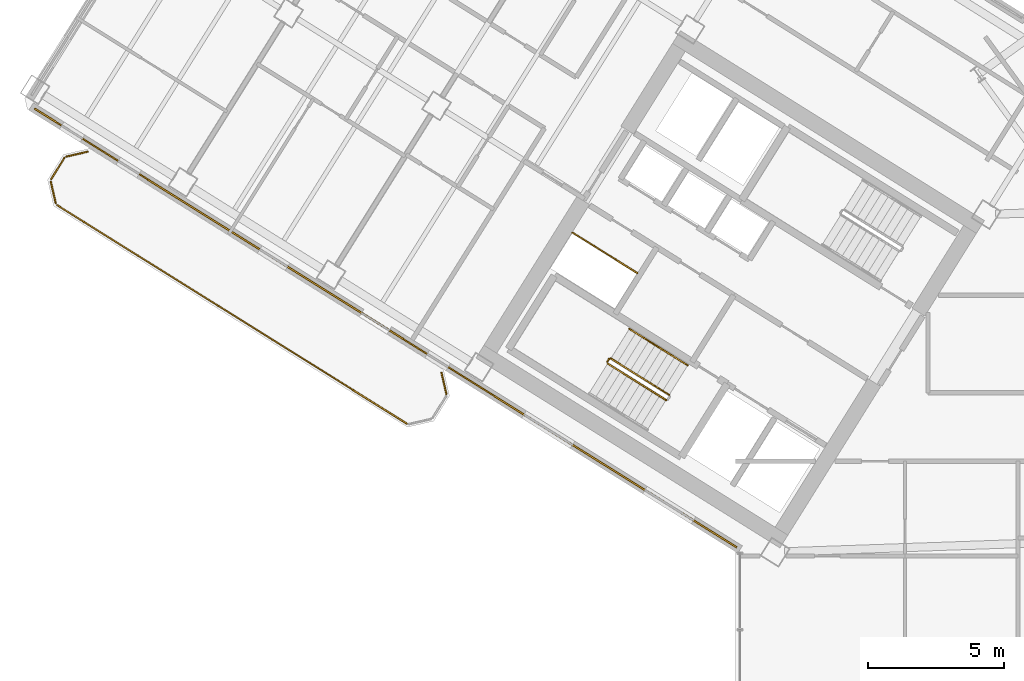
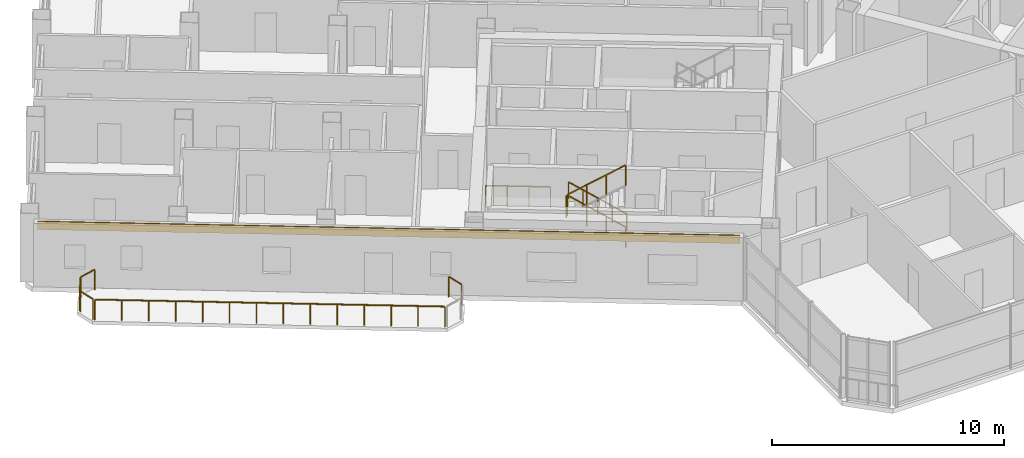
# One storey, part 18 of 21: 11 railings, 1 covering.
"""IFC4 building model written with IfcOpenShell, lengths in metres."""

import ifcopenshell
import ifcopenshell.guid

model = None  # the IFC model being written
_history = None  # IfcOwnerHistory: only IFC2X3 demands one
_inside = {}  # id of a spatial element -> (the spatial element, [elements in it])
_under = {}  # id of a project, library or spatial element -> (it, [spatial elements below it])
_declared = {}  # id of a project -> (the project, [libraries it declares])
_typed = {}  # id of a type object -> (the type object, [elements of that type])
_made_of = {}  # id of a material, layer set ... -> (it, [elements and type objects made of it])


def new_model(schema):
    """Start an empty IFC model of exactly this schema.

    Asked for "IFC4X3", IfcOpenShell would pick the latest addendum, in which some entities
    have other attributes; the version numbers below select the first issue.
    IFC2X3 requires an IfcOwnerHistory on every rooted entity: one is made here for all.
    """
    global model, _history
    if schema == "IFC4X3":
        model = ifcopenshell.file(schema_version=(4, 3, 0, 0))
    else:
        model = ifcopenshell.file(schema=schema)
    _inside.clear()
    _under.clear()
    _declared.clear()
    _typed.clear()
    _made_of.clear()
    _history = None
    if model.schema == "IFC2X3":
        org = make("IfcOrganization", Name="unknown")
        user = make(
            "IfcPersonAndOrganization",
            ThePerson=make("IfcPerson", FamilyName="unknown"),
            TheOrganization=org,
        )
        app = make(
            "IfcApplication",
            ApplicationDeveloper=org,
            Version="unknown",
            ApplicationFullName="unknown",
            ApplicationIdentifier="unknown",
        )
        _history = make(
            "IfcOwnerHistory",
            OwningUser=user,
            OwningApplication=app,
            ChangeAction="ADDED",
            CreationDate=0,
        )
    return model


def make(cls, **values):
    """One entity of the class cls with the attributes given. An attribute that is None is left unset."""
    return model.create_entity(
        cls, **{name: value for name, value in values.items() if value is not None}
    )


def rooted(cls, **values):
    """An entity with a GlobalId (a new one), such as an element, a storey or a relation."""
    return make(cls, GlobalId=ifcopenshell.guid.new(), OwnerHistory=_history, **values)


def si_unit(unit_type, name, prefix=None):
    """IfcSIUnit, for example si_unit("LENGTHUNIT", "METRE", prefix="MILLI")."""
    return make("IfcSIUnit", UnitType=unit_type, Prefix=prefix, Name=name)


def assignment(units):
    """IfcUnitAssignment: the units of a project."""
    return None if units is None else make("IfcUnitAssignment", Units=units)


def point(xyz):
    """IfcCartesianPoint."""
    return None if xyz is None else make("IfcCartesianPoint", Coordinates=xyz)


def direction(xyz):
    """IfcDirection."""
    return None if xyz is None else make("IfcDirection", DirectionRatios=xyz)


def frame(location, z_axis=None, x_axis=None):
    """IfcAxis2Placement3D, a coordinate frame: its origin and axes. An axis left out is left unset."""
    return make(
        "IfcAxis2Placement3D",
        Location=point(location),
        Axis=direction(z_axis),
        RefDirection=direction(x_axis),
    )


def frame_2d(location, x_axis=None):
    """IfcAxis2Placement2D, a coordinate frame in the plane: its origin and x axis."""
    return make(
        "IfcAxis2Placement2D", Location=point(location), RefDirection=direction(x_axis)
    )


def origin():
    """The frame at (0, 0, 0) with its axes left unset."""
    return frame((0.0, 0.0, 0.0))


def origin_2d():
    """The frame at (0, 0) in the plane with its x axis left unset."""
    return frame_2d((0.0, 0.0))


def place(relative_to, where):
    """IfcLocalPlacement: puts the frame where relative to a parent placement (None: the world)."""
    return make(
        "IfcLocalPlacement", PlacementRelTo=relative_to, RelativePlacement=where
    )


def context(
    kind, dimensions, precision=None, world=None, true_north=None, identifier=None
):
    """IfcGeometricRepresentationContext, for example the 3D "Model" context."""
    return make(
        "IfcGeometricRepresentationContext",
        ContextIdentifier=identifier,
        ContextType=kind,
        CoordinateSpaceDimension=dimensions,
        Precision=precision,
        WorldCoordinateSystem=world,
        TrueNorth=true_north,
    )


def subcontext(parent, identifier, kind, view, scale=None):
    """IfcGeometricRepresentationSubContext, for example "Body" below "Model"."""
    return make(
        "IfcGeometricRepresentationSubContext",
        ContextIdentifier=identifier,
        ContextType=kind,
        ParentContext=parent,
        TargetScale=scale,
        TargetView=view,
    )


def project(units=None, contexts=None):
    """IfcProject with its units and contexts."""
    return rooted(
        "IfcProject",
        Name="project",
        RepresentationContexts=contexts,
        UnitsInContext=assignment(units),
    )


def spatial(cls, under=None, at=None, **own):
    """A site, building, storey or space (cls), placed at a placement, below another one or the project."""
    s = rooted(cls, ObjectPlacement=at, **own)
    if under is not None:
        _under.setdefault(under.id(), (under, []))[1].append(s)
    return s


def profile(cls, at=None, kind="AREA", **sizes):
    """A parametric profile (cls). Its sizes go by their IFC names, for example OverallWidth=200.0."""
    return make(cls, ProfileType=kind, Position=at, **sizes)


def rectangle(**sizes):
    """IfcRectangleProfileDef."""
    return profile("IfcRectangleProfileDef", **sizes)


def extrude(swept, where, along, depth):
    """IfcExtrudedAreaSolid: the profile swept, set in the frame where, extruded along a direction by depth."""
    return make(
        "IfcExtrudedAreaSolid",
        SweptArea=swept,
        Position=where,
        ExtrudedDirection=direction(along),
        Depth=depth,
    )


def shape(context_of_items, identifier, shape_type, items):
    """IfcShapeRepresentation: the items that make up one representation, for example the "Body"."""
    return make(
        "IfcShapeRepresentation",
        ContextOfItems=context_of_items,
        RepresentationIdentifier=identifier,
        RepresentationType=shape_type,
        Items=items,
    )


def source(mapping_origin, context_of_items, identifier, shape_type, items):
    """IfcRepresentationMap: a shape defined once, which mapped items show again and again."""
    return make(
        "IfcRepresentationMap",
        MappingOrigin=mapping_origin,
        MappedRepresentation=shape(context_of_items, identifier, shape_type, items),
    )


def transform(
    local_origin,
    x_axis=None,
    y_axis=None,
    z_axis=None,
    scale=None,
    scale2=None,
    scale3=None,
    uniform=True,
):
    """IfcCartesianTransformationOperator3D, or its non-uniform kind. x_axis, y_axis, z_axis: its Axis1, 2, 3."""
    if uniform:
        return make(
            "IfcCartesianTransformationOperator3D",
            Axis1=direction(x_axis),
            Axis2=direction(y_axis),
            LocalOrigin=point(local_origin),
            Scale=scale,
            Axis3=direction(z_axis),
        )
    return make(
        "IfcCartesianTransformationOperator3DnonUniform",
        Axis1=direction(x_axis),
        Axis2=direction(y_axis),
        LocalOrigin=point(local_origin),
        Scale=scale,
        Axis3=direction(z_axis),
        Scale2=scale2,
        Scale3=scale3,
    )


def mapped(mapping_source, mapping_target):
    """IfcMappedItem: shows the shape of a source again, moved by a transform."""
    return make(
        "IfcMappedItem", MappingSource=mapping_source, MappingTarget=mapping_target
    )


def material(Name=None, Category=None):
    """IfcMaterial."""
    return make("IfcMaterial", Name=Name, Category=Category)


def layer(
    of_material, thickness, ventilated=None, Name=None, Category=None, Priority=None
):
    """IfcMaterialLayer: one layer of a wall or slab, of a material (None: an air gap)."""
    return make(
        "IfcMaterialLayer",
        Material=of_material,
        LayerThickness=thickness,
        IsVentilated=ventilated,
        Name=Name,
        Category=Category,
        Priority=Priority,
    )


def layer_set(layers, Name=None):
    """IfcMaterialLayerSet."""
    return make("IfcMaterialLayerSet", MaterialLayers=layers, LayerSetName=Name)


def made_of(thing, what):
    """Note that an element or type object is made of a material, layer set ...; save() writes the relation."""
    if what is not None:
        _made_of.setdefault(what.id(), (what, []))[1].append(thing)
    return thing


def type_object(cls, material=None, **own):
    """A type object (cls), such as IfcWallType, which elements share."""
    return made_of(rooted(cls, **own), material)


def element(
    cls,
    number,
    at=None,
    inside=None,
    cuts=None,
    type_object=None,
    material=None,
    context=None,
    identifier="Body",
    shape_type=None,
    held_by="IfcProductDefinitionShape",
    body=None,
    shapes=None,
    **own,
):
    """One element of the class cls, such as IfcWall. Its Tag is "e" and its number.

    at: its placement. inside: the storey or other place that contains it. cuts: it is an
    opening in that element (IfcRelVoidsElement). A single representation is given by context,
    identifier, shape_type and body (its items); several are given by shapes. held_by: the class
    of the entity that holds the representations. save() writes the other relations.
    """
    e = rooted(cls, Tag="e%d" % number, ObjectPlacement=at, **own)
    if body is not None:
        shapes = [shape(context, identifier, shape_type, body)]
    if shapes is not None:
        e.Representation = make(held_by, Representations=shapes)
    if inside is not None:
        _inside.setdefault(inside.id(), (inside, []))[1].append(e)
    if cuts is not None:
        rooted(
            "IfcRelVoidsElement", RelatingBuildingElement=cuts, RelatedOpeningElement=e
        )
    if type_object is not None:
        _typed.setdefault(type_object.id(), (type_object, []))[1].append(e)
    return made_of(e, material)


def aggregate(whole, parts):
    """IfcRelAggregates: a whole, such as a stair, and the parts it consists of."""
    return rooted("IfcRelAggregates", RelatingObject=whole, RelatedObjects=parts)


def save(model, path):
    """Write the relations noted so far, then the file.

    IfcRelAggregates (storeys below a building ...), IfcRelContainedInSpatialStructure (elements
    in a storey), IfcRelDefinesByType, IfcRelAssociatesMaterial and IfcRelDeclares: one each for
    every whole, place, type object, material and project.
    """
    for whole, parts in _under.values():
        aggregate(whole, parts)
    for where, things in _inside.values():
        rooted(
            "IfcRelContainedInSpatialStructure",
            RelatedElements=things,
            RelatingStructure=where,
        )
    for kind, things in _typed.values():
        rooted("IfcRelDefinesByType", RelatedObjects=things, RelatingType=kind)
    for what, things in _made_of.values():
        rooted("IfcRelAssociatesMaterial", RelatedObjects=things, RelatingMaterial=what)
    for by, libraries in _declared.values():
        rooted("IfcRelDeclares", RelatingContext=by, RelatedDefinitions=libraries)
    model.write(path)


model = new_model("IFC4")

# Units and contexts
model_context = context("Model", 3, precision=1e-05, world=origin(), true_north=direction((0.0, 1.0)))
body_context = subcontext(model_context, "Body", "Model", "MODEL_VIEW")
ifc_project = project(units=[si_unit("LENGTHUNIT", "METRE"), si_unit("AREAUNIT", "SQUARE_METRE"), si_unit("VOLUMEUNIT", "CUBIC_METRE"), si_unit("PLANEANGLEUNIT", "RADIAN"), si_unit("MASSUNIT", "GRAM", prefix="KILO")], contexts=[model_context])

# Site, building, storey
site_placement = place(None, origin())
site = spatial("IfcSite", under=ifc_project, at=site_placement, CompositionType="ELEMENT")
building_placement = place(site_placement, origin())
building = spatial("IfcBuilding", under=site, at=building_placement, Name="Tlacorven Tower", CompositionType="ELEMENT")
storey_placement = place(building_placement, frame((0.0, 0.0, 184.199951171875)))
storey = spatial("IfcBuildingStorey", under=building, at=storey_placement, Name="L46", CompositionType="ELEMENT", Elevation=184.199951171875)

# Railings
ifc_material_1 = material(Name="Aluminium and painted steel balustrade", Category="steel")
railing_type_1 = type_object("IfcRailingType", Name="RL-GRD-1100", PredefinedType="GUARDRAIL", material=ifc_material_1)
shared_shape_1 = source(origin(), body_context, "Body", "SweptSolid", [
    extrude(rectangle(XDim=0.048095703125, YDim=0.048095703125, at=origin_2d()), frame((0.0, 0.0, 1.076171875), z_axis=(-0.848091358275, 0.529850024081, 0.0), x_axis=(-0.529850024081, -0.848091358275, 0.0)), (0.0, 0.0, 1.0), 2.800048828125),
    extrude(rectangle(XDim=0.0419921875, YDim=0.0419921875, at=origin_2d()), origin(), (0.0, 0.0, 1.0), 1.052001953125),
    extrude(rectangle(XDim=0.0419921875, YDim=0.0419921875, at=origin_2d()), frame((-0.79150390625, 0.49462890625, 0.0)), (0.0, 0.0, 1.0), 1.052001953125),
    extrude(rectangle(XDim=0.0419921875, YDim=0.0419921875, at=origin_2d()), frame((-1.583251953125, 0.989013671875, 0.0)), (0.0, 0.0, 1.0), 1.052001953125),
    extrude(rectangle(XDim=0.0419921875, YDim=0.0419921875, at=origin_2d()), frame((-2.374755859375, 1.483642578125, 0.0)), (0.0, 0.0, 1.0), 1.052001953125),
])
railing_1_placement = place(storey_placement, frame((27.9912109375, 22.32080078125, 0.0)))
element("IfcRailing", 1, at=railing_1_placement, inside=storey, type_object=railing_type_1, Name="L46 Electrical Riser W Shaft Guard 1", PredefinedType="GUARDRAIL", context=body_context, shape_type="MappedRepresentation", body=[
    mapped(shared_shape_1, transform((0.0, 0.0, 0.0), scale=1.0)),
])
railing_type_2 = type_object("IfcRailingType", Name="RL-BAL-1100", PredefinedType="BALUSTRADE", material=ifc_material_1)
shared_shape_2 = source(origin(), body_context, "Body", "SweptSolid", [
    extrude(rectangle(XDim=0.048095703125, YDim=0.048095703125, at=origin_2d()), frame((0.0, 0.0, 1.076171875), z_axis=(0.225058334816, -0.974345290916, 0.0), x_axis=(0.974345290916, 0.225058334816, 0.0)), (0.0, 0.0, 1.0), 0.80712890625),
    extrude(rectangle(XDim=0.0419921875, YDim=0.0419921875, at=origin_2d()), origin(), (0.0, 0.0, 1.0), 1.052001953125),
    extrude(rectangle(XDim=0.0419921875, YDim=0.0419921875, at=origin_2d()), frame((0.181640625, -0.786376953125, 0.0)), (0.0, 0.0, 1.0), 1.052001953125),
])
railing_2_placement = place(storey_placement, frame((20.809814453125, 18.671142578125, 0.0)))
element("IfcRailing", 2, at=railing_2_placement, inside=storey, type_object=railing_type_2, Name="BAL-L46-W-OUT Guard Railing 1", PredefinedType="BALUSTRADE", context=body_context, shape_type="MappedRepresentation", body=[
    mapped(shared_shape_2, transform((0.0, 0.0, 0.0), scale=1.0)),
])
shared_shape_3 = source(origin(), body_context, "Body", "SweptSolid", [
    extrude(rectangle(XDim=0.048095703125, YDim=0.048095703125, at=origin_2d()), frame((0.0, 0.0, 1.076171875), z_axis=(-0.225058334816, 0.974345290916, 0.0), x_axis=(-0.974345290916, -0.225058334816, 0.0)), (0.0, 0.0, 1.0), 0.80712890625),
    extrude(rectangle(XDim=0.0419921875, YDim=0.0419921875, at=origin_2d()), origin(), (0.0, 0.0, 1.0), 1.052001953125),
    extrude(rectangle(XDim=0.0419921875, YDim=0.0419921875, at=origin_2d()), frame((-0.181640625, 0.786376953125, 0.0)), (0.0, 0.0, 1.0), 1.052001953125),
])
railing_3_placement = place(storey_placement, frame((6.66650390625, 24.88623046875, 0.0)))
element("IfcRailing", 3, at=railing_3_placement, inside=storey, type_object=railing_type_2, Name="BAL-L46-W-OUT Guard Railing 5", PredefinedType="BALUSTRADE", context=body_context, shape_type="MappedRepresentation", body=[
    mapped(shared_shape_3, transform((0.0, 0.0, 0.0), scale=1.0)),
])
shared_shape_4 = source(origin(), body_context, "Body", "SweptSolid", [
    extrude(rectangle(XDim=0.048095703125, YDim=0.048095703125, at=origin_2d()), frame((0.0, 0.0, 1.076171875), z_axis=(0.974411586182, 0.224771129628, 0.0), x_axis=(-0.224771129628, 0.974411586182, 0.0)), (0.0, 0.0, 1.0), 0.80712890625),
    extrude(rectangle(XDim=0.0419921875, YDim=0.0419921875, at=origin_2d()), origin(), (0.0, 0.0, 1.0), 1.052001953125),
    extrude(rectangle(XDim=0.0419921875, YDim=0.0419921875, at=origin_2d()), frame((0.786376953125, 0.181396484375, 0.0)), (0.0, 0.0, 1.0), 1.052001953125),
])
railing_4_placement = place(storey_placement, frame((7.05859375, 26.591064453125, 0.0)))
element("IfcRailing", 4, at=railing_4_placement, inside=storey, type_object=railing_type_2, Name="BAL-L46-W-OUT Guard Railing 7", PredefinedType="BALUSTRADE", context=body_context, shape_type="MappedRepresentation", body=[
    mapped(shared_shape_4, transform((0.0, 0.0, 0.0), scale=1.0)),
])
shared_shape_5 = source(origin(), body_context, "Body", "SweptSolid", [
    extrude(rectangle(XDim=0.048095703125, YDim=0.048095703125, at=origin_2d()), frame((0.0, 0.0, 1.076171875), z_axis=(0.529998940003, 0.847998304005, 0.0), x_axis=(-0.847998304005, 0.529998940003, 0.0)), (0.0, 0.0, 1.0), 0.912109375),
    extrude(rectangle(XDim=0.0419921875, YDim=0.0419921875, at=origin_2d()), origin(), (0.0, 0.0, 1.0), 1.052001953125),
    extrude(rectangle(XDim=0.0419921875, YDim=0.0419921875, at=origin_2d()), frame((0.4833984375, 0.7734375, 0.0)), (0.0, 0.0, 1.0), 1.052001953125),
])
railing_5_placement = place(storey_placement, frame((6.5, 25.763916015625, 0.0)))
element("IfcRailing", 5, at=railing_5_placement, inside=storey, type_object=railing_type_2, Name="BAL-L46-W-OUT Guard Railing 6", PredefinedType="BALUSTRADE", context=body_context, shape_type="MappedRepresentation", body=[
    mapped(shared_shape_5, transform((0.0, 0.0, 0.0), scale=1.0)),
])

# Covering
ifc_material_2 = material(Name="Precast concrete C45/55", Category="concrete")
ifc_layer = layer(ifc_material_2, 0.06005859375)
ifc_layer_set = layer_set([ifc_layer], Name="Precast concrete C45/55")
covering_type = type_object("IfcCoveringType", Name="CV-CLD-TERC", PredefinedType="CLADDING", material=ifc_layer_set)
shared_shape_6 = source(origin(), body_context, "Body", "SweptSolid", [
    extrude(rectangle(XDim=30.35205078125, YDim=0.06005859375, at=origin_2d()), origin(), (0.0, 0.0, 1.0), 0.419921875),
])
covering_placement = place(storey_placement, frame((18.7626953125, 20.3046875, 2.93017578125), z_axis=(0.0, 0.0, 1.0), x_axis=(-0.848048152806, 0.529919173576, 0.0)))
element("IfcCovering", 6, at=covering_placement, inside=storey, type_object=covering_type, Name="L46 Masonry-Frame Spandrel Cladding 1", PredefinedType="CLADDING", context=body_context, shape_type="MappedRepresentation", body=[
    mapped(shared_shape_6, transform((0.0, 0.0, 0.0), scale=1.0)),
])

# Railings
shared_shape_7 = source(origin(), body_context, "Body", "SweptSolid", [
    extrude(rectangle(XDim=0.048095703125, YDim=0.048095703125, at=origin_2d()), frame((0.0, 0.0, 1.076171875), z_axis=(-0.848051830527, 0.529913287944, 0.0), x_axis=(-0.529913287944, -0.848051830527, 0.0)), (0.0, 0.0, 1.0), 15.1171875),
    extrude(rectangle(XDim=0.0419921875, YDim=0.0419921875, at=origin_2d()), origin(), (0.0, 0.0, 1.0), 1.052001953125),
    extrude(rectangle(XDim=0.0419921875, YDim=0.0419921875, at=origin_2d()), frame((-0.986083984375, 0.6162109375, 0.0)), (0.0, 0.0, 1.0), 1.052001953125),
    extrude(rectangle(XDim=0.0419921875, YDim=0.0419921875, at=origin_2d()), frame((-1.972412109375, 1.232421875, 0.0)), (0.0, 0.0, 1.0), 1.052001953125),
    extrude(rectangle(XDim=0.0419921875, YDim=0.0419921875, at=origin_2d()), frame((-2.95849609375, 1.8486328125, 0.0)), (0.0, 0.0, 1.0), 1.052001953125),
    extrude(rectangle(XDim=0.0419921875, YDim=0.0419921875, at=origin_2d()), frame((-3.944580078125, 2.46484375, 0.0)), (0.0, 0.0, 1.0), 1.052001953125),
    extrude(rectangle(XDim=0.0419921875, YDim=0.0419921875, at=origin_2d()), frame((-4.930908203125, 3.0810546875, 0.0)), (0.0, 0.0, 1.0), 1.052001953125),
    extrude(rectangle(XDim=0.0419921875, YDim=0.0419921875, at=origin_2d()), frame((-5.9169921875, 3.697265625, 0.0)), (0.0, 0.0, 1.0), 1.052001953125),
    extrude(rectangle(XDim=0.0419921875, YDim=0.0419921875, at=origin_2d()), frame((-6.903076171875, 4.3134765625, 0.0)), (0.0, 0.0, 1.0), 1.052001953125),
    extrude(rectangle(XDim=0.0419921875, YDim=0.0419921875, at=origin_2d()), frame((-7.88916015625, 4.9296875, 0.0)), (0.0, 0.0, 1.0), 1.052001953125),
    extrude(rectangle(XDim=0.0419921875, YDim=0.0419921875, at=origin_2d()), frame((-8.87548828125, 5.5458984375, 0.0)), (0.0, 0.0, 1.0), 1.052001953125),
    extrude(rectangle(XDim=0.0419921875, YDim=0.0419921875, at=origin_2d()), frame((-9.861572265625, 6.162109375, 0.0)), (0.0, 0.0, 1.0), 1.052001953125),
    extrude(rectangle(XDim=0.0419921875, YDim=0.0419921875, at=origin_2d()), frame((-10.84765625, 6.7783203125, 0.0)), (0.0, 0.0, 1.0), 1.052001953125),
    extrude(rectangle(XDim=0.0419921875, YDim=0.0419921875, at=origin_2d()), frame((-11.833984375, 7.39453125, 0.0)), (0.0, 0.0, 1.0), 1.052001953125),
    extrude(rectangle(XDim=0.0419921875, YDim=0.0419921875, at=origin_2d()), frame((-12.820068359375, 8.0107421875, 0.0)), (0.0, 0.0, 1.0), 1.052001953125),
])
railing_6_placement = place(storey_placement, frame((19.5400390625, 16.80029296875, 0.0)))
element("IfcRailing", 7, at=railing_6_placement, inside=storey, type_object=railing_type_2, Name="BAL-L46-W-OUT Guard Railing 4", PredefinedType="BALUSTRADE", context=body_context, shape_type="MappedRepresentation", body=[
    mapped(shared_shape_7, transform((0.0, 0.0, 0.0), scale=1.0)),
])
shared_shape_8 = source(origin(), body_context, "Body", "SweptSolid", [
    extrude(rectangle(XDim=0.048095703125, YDim=0.048095703125, at=origin_2d()), frame((0.0, 0.0, 1.076171875), z_axis=(-0.713319727316, 0.445773895627, 0.540796265334), x_axis=(-0.529955395941, -0.84802551749, 0.0)), (0.0, 0.0, 1.0), 2.995849609375),
    extrude(rectangle(XDim=0.0419921875, YDim=0.0419921875, at=origin_2d()), origin(), (0.0, 0.0, 1.0), 1.052001953125),
    extrude(rectangle(XDim=0.0419921875, YDim=0.0419921875, at=origin_2d()), frame((-0.71240234375, 0.445068359375, 0.5400390625)), (0.0, 0.0, 1.0), 1.052001953125),
    extrude(rectangle(XDim=0.0419921875, YDim=0.0419921875, at=origin_2d()), frame((-1.424560546875, 0.890380859375, 1.080078125)), (0.0, 0.0, 1.0), 1.052001953125),
    extrude(rectangle(XDim=0.0419921875, YDim=0.0419921875, at=origin_2d()), frame((-2.136962890625, 1.33544921875, 1.6201171875)), (0.0, 0.0, 1.0), 1.052001953125),
])
railing_7_placement = place(storey_placement, frame((29.16064453125, 17.851806640625, 0.179931640625)))
element("IfcRailing", 8, at=railing_7_placement, inside=storey, type_object=railing_type_1, Name="L46 ST-W1 stair guard 1", PredefinedType="GUARDRAIL", context=body_context, shape_type="MappedRepresentation", body=[
    mapped(shared_shape_8, transform((0.0, 0.0, 0.0), scale=1.0)),
])
shared_shape_9 = source(origin(), body_context, "Body", "SweptSolid", [
    extrude(rectangle(XDim=0.048095703125, YDim=0.048095703125, at=origin_2d()), frame((0.0, 0.0, 1.076171875), z_axis=(-0.530546985787, -0.847655529016, 0.0), x_axis=(0.847655529016, -0.530546985787, 0.0)), (0.0, 0.0, 1.0), 0.1201171875),
    extrude(rectangle(XDim=0.0419921875, YDim=0.0419921875, at=origin_2d()), origin(), (0.0, 0.0, 1.0), 1.052001953125),
    extrude(rectangle(XDim=0.0419921875, YDim=0.0419921875, at=origin_2d()), frame((-0.063720703125, -0.101806640625, 0.0)), (0.0, 0.0, 1.0), 1.052001953125),
])
railing_8_placement = place(storey_placement, frame((26.954833984375, 19.17138671875, 1.800048828125)))
element("IfcRailing", 9, at=railing_8_placement, inside=storey, type_object=railing_type_1, Name="L46 ST-W1 stair guard 2", PredefinedType="GUARDRAIL", context=body_context, shape_type="MappedRepresentation", body=[
    mapped(shared_shape_9, transform((0.0, 0.0, 0.0), scale=1.0)),
])
shared_shape_10 = source(origin(), body_context, "Body", "SweptSolid", [
    extrude(rectangle(XDim=0.048095703125, YDim=0.048095703125, at=origin_2d()), frame((0.0, 0.0, 1.076171875), z_axis=(0.713359751793, -0.4457479829, 0.540764828981), x_axis=(0.529911857636, 0.848052724267, 0.0)), (0.0, 0.0, 1.0), 2.99609375),
    extrude(rectangle(XDim=0.0419921875, YDim=0.0419921875, at=origin_2d()), origin(), (0.0, 0.0, 1.0), 1.052001953125),
    extrude(rectangle(XDim=0.0419921875, YDim=0.0419921875, at=origin_2d()), frame((0.71240234375, -0.445068359375, 0.5400390625)), (0.0, 0.0, 1.0), 1.052001953125),
    extrude(rectangle(XDim=0.0419921875, YDim=0.0419921875, at=origin_2d()), frame((1.4248046875, -0.890380859375, 1.080078125)), (0.0, 0.0, 1.0), 1.052001953125),
    extrude(rectangle(XDim=0.0419921875, YDim=0.0419921875, at=origin_2d()), frame((2.13720703125, -1.33544921875, 1.6201171875)), (0.0, 0.0, 1.0), 1.052001953125),
])
railing_9_placement = place(storey_placement, frame((26.906982421875, 19.000732421875, 1.97998046875)))
element("IfcRailing", 10, at=railing_9_placement, inside=storey, type_object=railing_type_1, Name="L46 ST-W1 stair guard 3", PredefinedType="GUARDRAIL", context=body_context, shape_type="MappedRepresentation", body=[
    mapped(shared_shape_10, transform((0.0, 0.0, 0.0), scale=1.0)),
])
railing_type_3 = type_object("IfcRailingType", Name="RL-HND-0900", PredefinedType="HANDRAIL", material=ifc_material_1)
shared_shape_11 = source(origin(), body_context, "Body", "SweptSolid", [
    extrude(rectangle(XDim=0.048095703125, YDim=0.048095703125, at=origin_2d()), frame((0.0, 0.0, 0.8759765625), z_axis=(-0.713359751793, 0.4457479829, 0.540764828981), x_axis=(-0.529911857636, -0.848052724267, 0.0)), (0.0, 0.0, 1.0), 1.498046875),
    extrude(rectangle(XDim=0.0419921875, YDim=0.0419921875, at=origin_2d()), origin(), (0.0, 0.0, 1.0), 0.851806640625),
    extrude(rectangle(XDim=0.0419921875, YDim=0.0419921875, at=origin_2d()), frame((-0.5341796875, 0.333984375, 0.405029296875)), (0.0, 0.0, 1.0), 0.851806640625),
    extrude(rectangle(XDim=0.0419921875, YDim=0.0419921875, at=origin_2d()), frame((-1.068603515625, 0.667724609375, 0.81005859375)), (0.0, 0.0, 1.0), 0.851806640625),
])
for number, where, name in (
    (11, (29.839111328125, 18.937255859375, 0.179931640625), "L46 ST-W1 stair handrail 1"),
    (12, (28.7705078125, 19.60498046875, 0.989990234375), "L46 ST-W1 stair handrail 2"),
):
    element("IfcRailing", number, at=place(storey_placement, frame(where)), inside=storey, type_object=railing_type_3, Name=name, PredefinedType="HANDRAIL", context=body_context, shape_type="MappedRepresentation", body=[
        mapped(shared_shape_11, transform((0.0, 0.0, 0.0), scale=1.0)),
    ])

save(model, "model.ifc")
